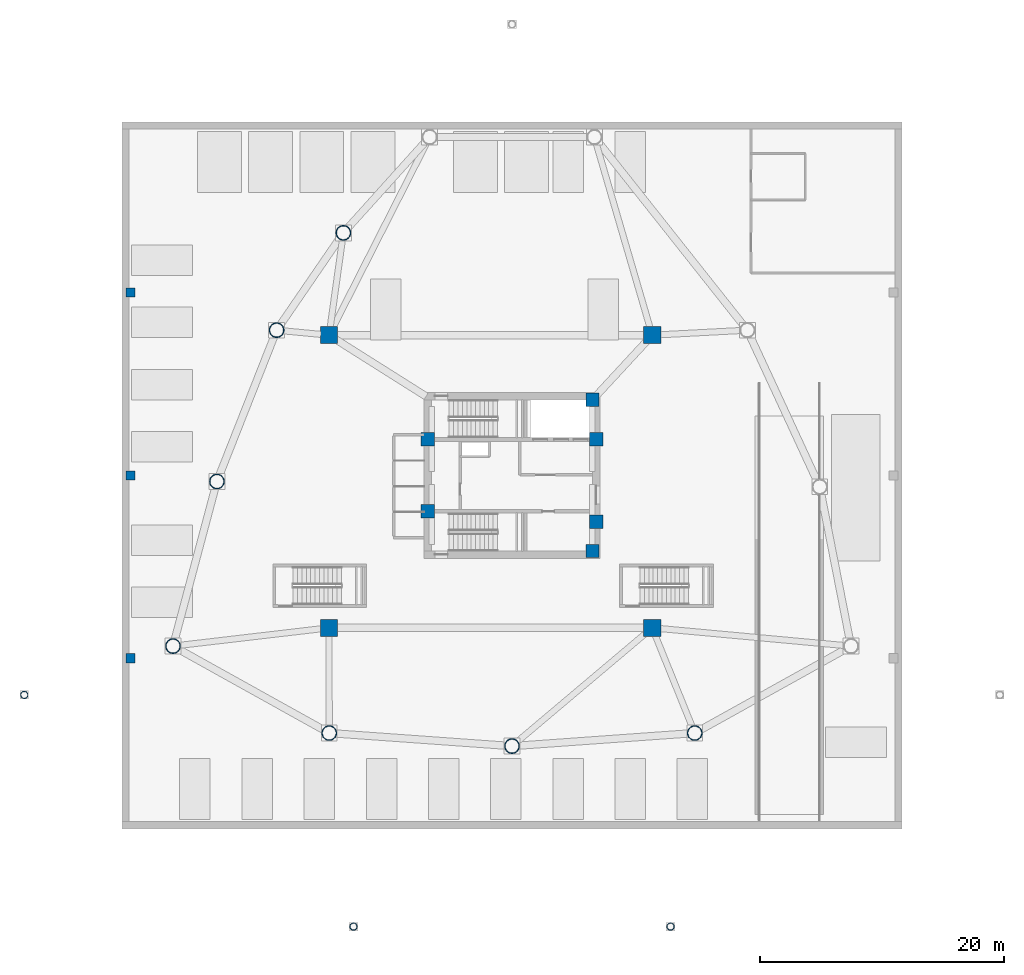
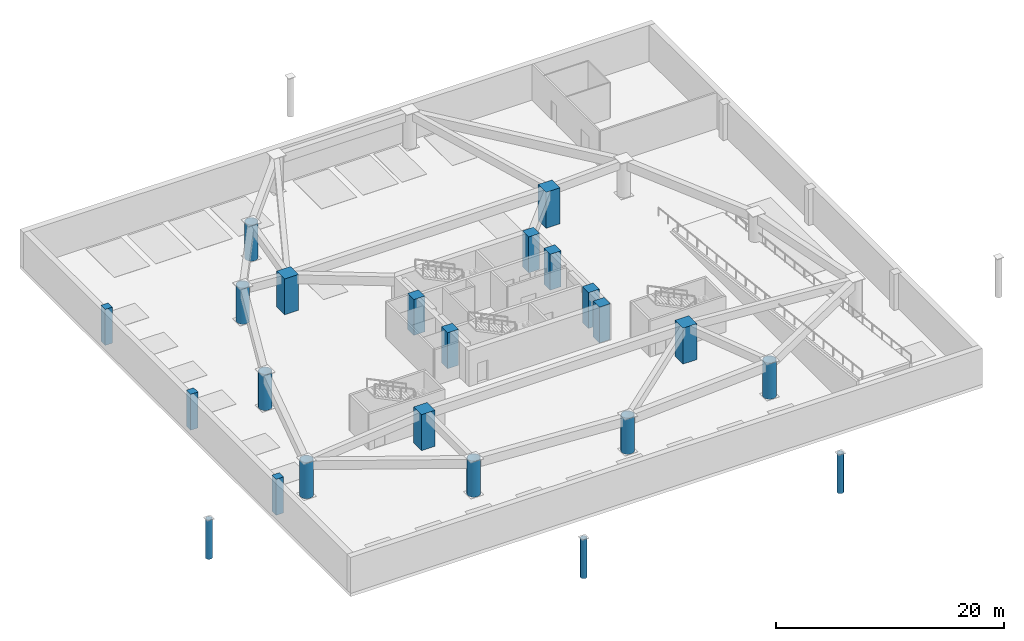
# One storey, part 1 of 9: 23 columns.
"""IFC4 building model written with IfcOpenShell, lengths in metres."""

from ifc_helpers import new_model, si_unit, direction, frame, origin, origin_2d, place, context, subcontext, project, spatial, rectangle, hollow_circle, extrude, material, material_profile, profile_set, type_object, element, save


model = new_model("IFC4")

# Units and contexts
model_context = context("Model", 3, precision=1e-05, world=origin(), true_north=direction((0.0, 1.0)))
body_context = subcontext(model_context, "Body", "Model", "MODEL_VIEW")
ifc_project = project(units=[si_unit("LENGTHUNIT", "METRE"), si_unit("AREAUNIT", "SQUARE_METRE"), si_unit("VOLUMEUNIT", "CUBIC_METRE"), si_unit("PLANEANGLEUNIT", "RADIAN"), si_unit("MASSUNIT", "GRAM", prefix="KILO")], contexts=[model_context])

# Site, building, storey
site_placement = place(None, origin())
site = spatial("IfcSite", under=ifc_project, at=site_placement, CompositionType="ELEMENT")
building_placement = place(site_placement, origin())
building = spatial("IfcBuilding", under=site, at=building_placement, Name="Tavelor Broadcast Tower", CompositionType="ELEMENT")
storey_placement = place(building_placement, frame((0.0, 0.0, -4.199951171875)))
storey = spatial("IfcBuildingStorey", under=building, at=storey_placement, Name="B01", CompositionType="ELEMENT", Elevation=-4.199951171875)

# Columns
ifc_material_1 = material(Name="Concrete C40/50", Category="concrete")
ifc_material_profile_1 = material_profile(ifc_material_1, rectangle(XDim=0.75, YDim=0.75, at=origin_2d()), Name="RC 750x750")
ifc_profile_set_1 = profile_set([ifc_material_profile_1], Name="Concrete C40/50")
column_type_1 = type_object("IfcColumnType", Name="Basement Retaining Pilaster RC750", PredefinedType="PILASTER", material=ifc_profile_set_1)
for number, where, z_axis, x_axis, name in (
    (1, (18.699951171875, 30.0, 0.0), (0.0, 0.0, 1.0), (1.0, 0.0, 0.0), "B01 Retaining Wall Pilaster 1"),
    (2, (18.699951171875, 45.0, 0.0), (0.0, 0.0, 1.0), (1.0, 0.0, 0.0), "B01 Retaining Wall Pilaster 2"),
    (3, (18.699951171875, 60.0, 0.0), (0.0, 0.0, 1.0), (1.0, 0.0, 0.0), "B01 Retaining Wall Pilaster 3"),
):
    element("IfcColumn", number, at=place(storey_placement, frame(where, z_axis=z_axis, x_axis=x_axis)), inside=storey, type_object=column_type_1, Name=name, PredefinedType="PILASTER", context=body_context, shape_type="SweptSolid", body=[
        extrude(rectangle(XDim=0.75, YDim=0.75, at=origin_2d()), origin(), (0.0, 0.0, 1.0), 3.849853515625),
    ])
ifc_material_2 = material(Name="Concrete C60/75", Category="concrete")
ifc_material_profile_2 = material_profile(ifc_material_2, rectangle(XDim=1.10009765625, YDim=1.10009765625, at=origin_2d()), Name="RC 1100x1100")
ifc_profile_set_2 = profile_set([ifc_material_profile_2], Name="Concrete C60/75")
column_type_2 = type_object("IfcColumnType", Name="Core Embedded Composite Column RC1100", PredefinedType="COLUMN", material=ifc_profile_set_2)
for number, where, z_axis, x_axis, name in (
    (4, (43.10009765625, 47.949951171875, 0.0), (0.0, 0.0, 1.0), (1.0, 0.0, 0.0), "B01 Core Embedded Column 1"),
    (5, (56.89990234375, 47.949951171875, 0.0), (0.0, 0.0, 1.0), (1.0, 0.0, 0.0), "B01 Core Embedded Column 2"),
    (6, (56.60009765625, 51.199951171875, 0.0), (0.0, 0.0, 1.0), (1.0, 0.0, 0.0), "B01 Core Embedded Column 3"),
    (7, (43.10009765625, 42.050048828125, 0.0), (0.0, 0.0, 1.0), (1.0, 0.0, 0.0), "B01 Core Embedded Column 4"),
    (8, (56.89990234375, 41.199951171875, 0.0), (0.0, 0.0, 1.0), (1.0, 0.0, 0.0), "B01 Core Embedded Column 5"),
    (9, (56.60009765625, 38.800048828125, 0.0), (0.0, 0.0, 1.0), (1.0, 0.0, 0.0), "B01 Core Embedded Column 6"),
):
    element("IfcColumn", number, at=place(storey_placement, frame(where, z_axis=z_axis, x_axis=x_axis)), inside=storey, type_object=column_type_2, Name=name, PredefinedType="COLUMN", context=body_context, shape_type="SweptSolid", body=[
        extrude(rectangle(XDim=1.10009765625, YDim=1.10009765625, at=origin_2d()), origin(), (0.0, 0.0, 1.0), 3.849853515625),
    ])
ifc_material_3 = material(Name="Steel S355", Category="steel")
ifc_material_profile_3 = material_profile(ifc_material_3, hollow_circle(Radius=0.304931640625, WallThickness=0.028076171875, at=origin_2d()), Name="CHS 610x28")
ifc_profile_set_3 = profile_set([ifc_material_profile_3], Name="Steel S355")
column_type_3 = type_object("IfcColumnType", Name="Plaza Canopy Mega Column CHS610", PredefinedType="COLUMN", material=ifc_profile_set_3)
for number, where, z_axis, x_axis, name in (
    (10, (10.0, 27.0, 0.0), (0.0, 0.0, 1.0), (1.0, 0.0, 0.0), "B01 Entrance Portal Foundation Column 2"),
    (11, (37.0, 8.0, 0.0), (0.0, 0.0, 1.0), (1.0, 0.0, 0.0), "B01 Entrance Portal Foundation Column 4"),
    (12, (63.0, 8.0, 0.0), (0.0, 0.0, 1.0), (1.0, 0.0, 0.0), "B01 Entrance Portal Foundation Column 5"),
):
    element("IfcColumn", number, at=place(storey_placement, frame(where, z_axis=z_axis, x_axis=x_axis)), inside=storey, type_object=column_type_3, Name=name, PredefinedType="COLUMN", context=body_context, shape_type="SweptSolid", body=[
        extrude(hollow_circle(Radius=0.304931640625, WallThickness=0.028076171875, at=origin_2d()), origin(), (0.0, 0.0, 1.0), 4.199951171875),
    ])
ifc_material_profile_4 = material_profile(ifc_material_2, rectangle(XDim=1.39990234375, YDim=1.39990234375, at=origin_2d()), Name="RC 1400x1400")
ifc_profile_set_4 = profile_set([ifc_material_profile_4], Name="Concrete C60/75")
column_type_4 = type_object("IfcColumnType", Name="Podium Composite Mega Column RC1400", PredefinedType="COLUMN", material=ifc_profile_set_4)
for number, where, z_axis, x_axis, name in (
    (13, (35.0, 32.5, 0.0), (0.0, 0.0, 1.0), (1.0, 0.0, 0.0), "B01 Inner Mega Column 1"),
    (14, (61.5, 32.5, 0.0), (0.0, 0.0, 1.0), (1.0, 0.0, 0.0), "B01 Inner Mega Column 2"),
    (15, (61.5, 56.5, 0.0), (0.0, 0.0, 1.0), (1.0, 0.0, 0.0), "B01 Inner Mega Column 3"),
    (16, (35.0, 56.5, 0.0), (0.0, 0.0, 1.0), (1.0, 0.0, 0.0), "B01 Inner Mega Column 4"),
):
    element("IfcColumn", number, at=place(storey_placement, frame(where, z_axis=z_axis, x_axis=x_axis)), inside=storey, type_object=column_type_4, Name=name, PredefinedType="COLUMN", context=body_context, shape_type="SweptSolid", body=[
        extrude(rectangle(XDim=1.39990234375, YDim=1.39990234375, at=origin_2d()), origin(), (0.0, 0.0, 1.0), 3.849853515625),
    ])
ifc_material_4 = material(Name="Steel S460", Category="steel")
ifc_material_profile_5 = material_profile(ifc_material_4, hollow_circle(Radius=0.609619140625, WallThickness=0.050048828125, at=origin_2d()), Name="CHS 1219x50")
ifc_profile_set_5 = profile_set([ifc_material_profile_5], Name="Steel S460")
column_type_5 = type_object("IfcColumnType", Name="Podium Perimeter Mega Column CHS1219", PredefinedType="COLUMN", material=ifc_profile_set_5)
for number, where, z_axis, x_axis, name in (
    (17, (36.170166015625, 64.893310546875, 0.0), (0.0, 0.0, 1.0), (1.0, 0.0, 0.0), "B01 Outer Mega Column 2"),
    (18, (30.69921875, 56.9111328125, 0.0), (0.0, 0.0, 1.0), (1.0, 0.0, 0.0), "B01 Outer Mega Column 3"),
    (19, (25.800048828125, 44.5, 0.0), (0.0, 0.0, 1.0), (1.0, 0.0, 0.0), "B01 Outer Mega Column 4"),
    (20, (22.199951171875, 31.0, 0.0), (0.0, 0.0, 1.0), (1.0, 0.0, 0.0), "B01 Outer Mega Column 5"),
    (21, (35.01220703125, 23.87109375, 0.0), (0.0, 0.0, 1.0), (1.0, 0.0, 0.0), "B01 Outer Mega Column 6"),
    (22, (50.0, 22.800048828125, 0.0), (0.0, 0.0, 1.0), (1.0, 0.0, 0.0), "B01 Outer Mega Column 7"),
    (23, (64.98779296875, 23.87109375, 0.0), (0.0, 0.0, 1.0), (1.0, 0.0, 0.0), "B01 Outer Mega Column 8"),
):
    element("IfcColumn", number, at=place(storey_placement, frame(where, z_axis=z_axis, x_axis=x_axis)), inside=storey, type_object=column_type_5, Name=name, PredefinedType="COLUMN", context=body_context, shape_type="SweptSolid", body=[
        extrude(hollow_circle(Radius=0.609619140625, WallThickness=0.050048828125, at=origin_2d()), origin(), (0.0, 0.0, 1.0), 3.849853515625),
    ])

save(model, "model.ifc")
